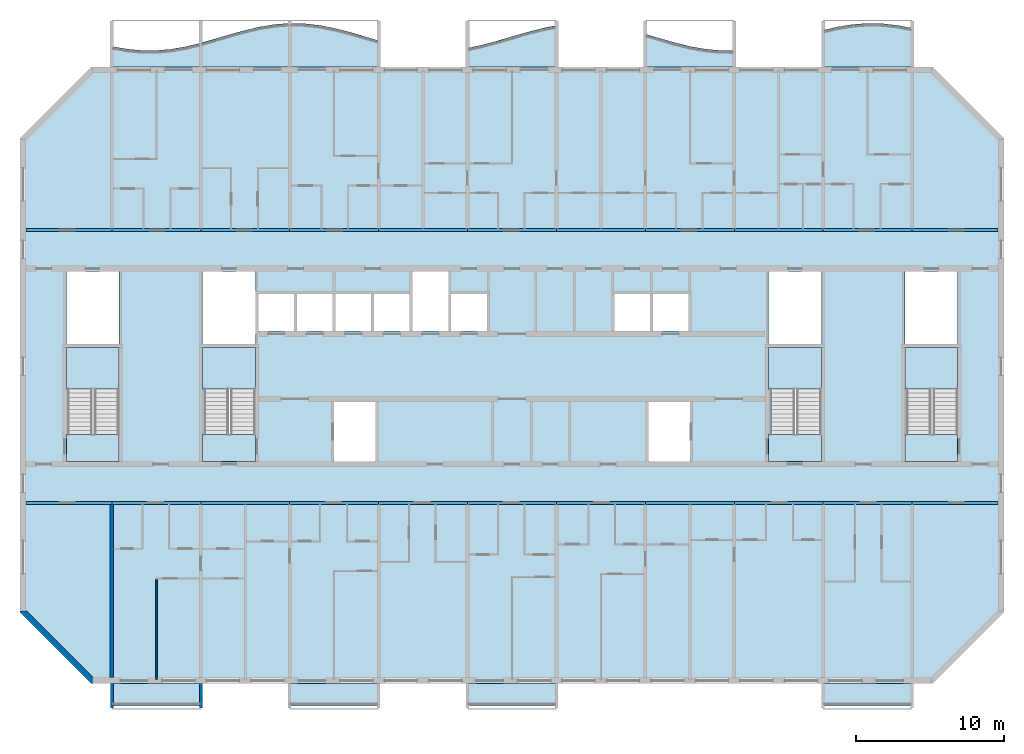
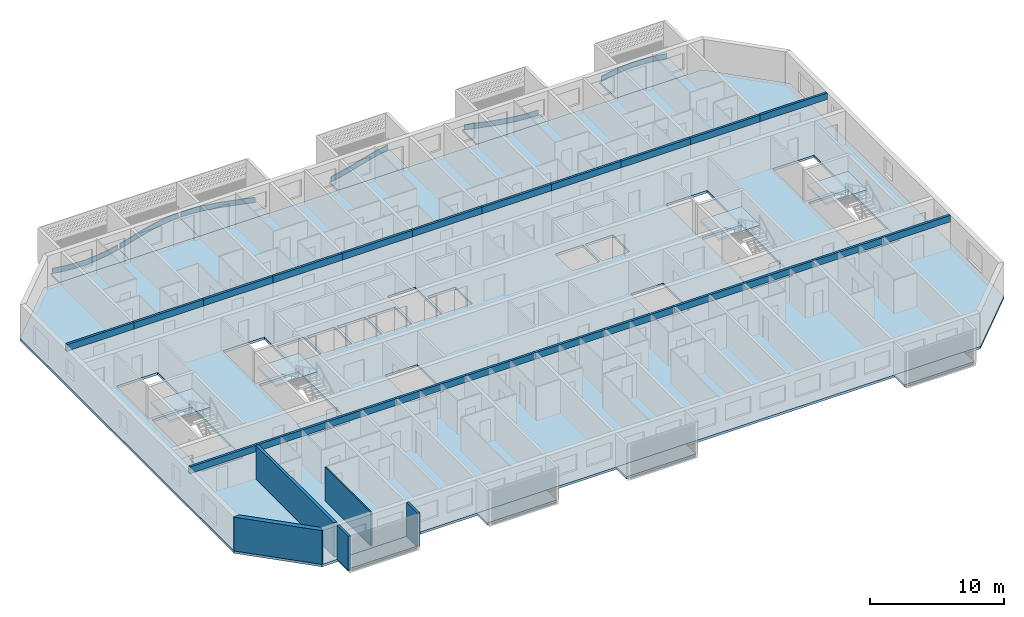
# One storey, part 1 of 27: 22 beams, 19 slabs, 6 plates, 5 walls, 4 elements without a shape of their own.
"""IFC4 building model written with IfcOpenShell, lengths in metres."""

from ifc_helpers import new_model, si_unit, direction, frame, frame_2d, origin, origin_2d, place, context, subcontext, project, spatial, polyline, rectangle, outline, extrude, source, transform, mapped, material, layer, layer_set, material_profile, profile_set, type_object, element, aggregate, save


model = new_model("IFC4")

# Units and contexts
model_context = context("Model", 3, precision=1e-05, world=origin(), true_north=direction((0.0, 1.0)))
body_context = subcontext(model_context, "Body", "Model", "MODEL_VIEW")
ifc_project = project(units=[si_unit("LENGTHUNIT", "METRE"), si_unit("AREAUNIT", "SQUARE_METRE"), si_unit("VOLUMEUNIT", "CUBIC_METRE"), si_unit("PLANEANGLEUNIT", "RADIAN"), si_unit("MASSUNIT", "GRAM", prefix="KILO")], contexts=[model_context])

# Site, building, storey
site_placement = place(None, origin())
site = spatial("IfcSite", under=ifc_project, at=site_placement, CompositionType="ELEMENT")
building_placement = place(site_placement, origin())
building = spatial("IfcBuilding", under=site, at=building_placement, Name="Poui Terraces", CompositionType="ELEMENT")
storey_placement = place(building_placement, frame((0.0, 0.0, 204.89990234375)))
storey = spatial("IfcBuildingStorey", under=building, at=storey_placement, Name="L57", CompositionType="ELEMENT", Elevation=204.89990234375)

# Beams
ifc_material_1 = material(Name="Concrete 50 MPa", Category="concrete")
ifc_material_profile = material_profile(ifc_material_1, rectangle(XDim=0.199951171875, YDim=0.60009765625, at=origin_2d()), Name="RC 200x600")
ifc_profile_set = profile_set([ifc_material_profile], Name="Concrete 50 MPa")
beam_type = type_object("IfcBeamType", Name="COUPLING BEAM 200x600 50MPa", PredefinedType="BEAM", material=ifc_profile_set)
shared_shape_1 = source(origin(), body_context, "Body", "SweptSolid", [
    extrude(rectangle(XDim=0.199951171875, YDim=0.60009765625, at=origin_2d()), origin(), (0.0, 0.0, 1.0), 5.800048828125),
])
for number, where, z_axis, x_axis, name in (
    (1, (18.199951171875, 12.0, 2.780029296875), (1.0, 0.0, 0.0), (0.0, 1.0, 0.0), "COUPLING BEAM LINE B BAY 1"),
    (2, (78.0, 12.0, 2.780029296875), (1.0, 0.0, 0.0), (0.0, 1.0, 0.0), "COUPLING BEAM LINE B BAY 11"),
    (3, (18.199951171875, 30.39990234375, 2.780029296875), (1.0, 0.0, 0.0), (0.0, 1.0, 0.0), "COUPLING BEAM LINE E BAY 1"),
    (4, (78.0, 30.39990234375, 2.780029296875), (1.0, 0.0, 0.0), (0.0, 1.0, 0.0), "COUPLING BEAM LINE E BAY 11"),
):
    element("IfcBeam", number, at=place(storey_placement, frame(where, z_axis=z_axis, x_axis=x_axis)), inside=storey, type_object=beam_type, Name=name, PredefinedType="BEAM", context=body_context, shape_type="MappedRepresentation", body=[
        mapped(shared_shape_1, transform((0.0, 0.0, 0.0))),
    ])
shared_shape_2 = source(origin(), body_context, "Body", "SweptSolid", [
    extrude(rectangle(XDim=0.199951171875, YDim=0.60009765625, at=origin_2d()), origin(), (0.0, 0.0, 1.0), 6.0),
])
for number, where, z_axis, x_axis, name in (
    (5, (24.0, 12.0, 2.780029296875), (1.0, 0.0, 0.0), (0.0, 1.0, 0.0), "COUPLING BEAM LINE B BAY 2"),
    (6, (30.0, 12.0, 2.780029296875), (1.0, 0.0, 0.0), (0.0, 1.0, 0.0), "COUPLING BEAM LINE B BAY 3"),
    (7, (36.0, 12.0, 2.780029296875), (1.0, 0.0, 0.0), (0.0, 1.0, 0.0), "COUPLING BEAM LINE B BAY 4"),
    (8, (42.0, 12.0, 2.780029296875), (1.0, 0.0, 0.0), (0.0, 1.0, 0.0), "COUPLING BEAM LINE B BAY 5"),
    (9, (48.0, 12.0, 2.780029296875), (1.0, 0.0, 0.0), (0.0, 1.0, 0.0), "COUPLING BEAM LINE B BAY 6"),
    (10, (54.0, 12.0, 2.780029296875), (1.0, 0.0, 0.0), (0.0, 1.0, 0.0), "COUPLING BEAM LINE B BAY 7"),
    (11, (60.0, 12.0, 2.780029296875), (1.0, 0.0, 0.0), (0.0, 1.0, 0.0), "COUPLING BEAM LINE B BAY 8"),
    (12, (66.0, 12.0, 2.780029296875), (1.0, 0.0, 0.0), (0.0, 1.0, 0.0), "COUPLING BEAM LINE B BAY 9"),
    (13, (72.0, 12.0, 2.780029296875), (1.0, 0.0, 0.0), (0.0, 1.0, 0.0), "COUPLING BEAM LINE B BAY 10"),
    (14, (24.0, 30.39990234375, 2.780029296875), (1.0, 0.0, 0.0), (0.0, 1.0, 0.0), "COUPLING BEAM LINE E BAY 2"),
    (15, (30.0, 30.39990234375, 2.780029296875), (1.0, 0.0, 0.0), (0.0, 1.0, 0.0), "COUPLING BEAM LINE E BAY 3"),
    (16, (36.0, 30.39990234375, 2.780029296875), (1.0, 0.0, 0.0), (0.0, 1.0, 0.0), "COUPLING BEAM LINE E BAY 4"),
    (17, (42.0, 30.39990234375, 2.780029296875), (1.0, 0.0, 0.0), (0.0, 1.0, 0.0), "COUPLING BEAM LINE E BAY 5"),
    (18, (48.0, 30.39990234375, 2.780029296875), (1.0, 0.0, 0.0), (0.0, 1.0, 0.0), "COUPLING BEAM LINE E BAY 6"),
    (19, (54.0, 30.39990234375, 2.780029296875), (1.0, 0.0, 0.0), (0.0, 1.0, 0.0), "COUPLING BEAM LINE E BAY 7"),
    (20, (60.0, 30.39990234375, 2.780029296875), (1.0, 0.0, 0.0), (0.0, 1.0, 0.0), "COUPLING BEAM LINE E BAY 8"),
    (21, (66.0, 30.39990234375, 2.780029296875), (1.0, 0.0, 0.0), (0.0, 1.0, 0.0), "COUPLING BEAM LINE E BAY 9"),
    (22, (72.0, 30.39990234375, 2.780029296875), (1.0, 0.0, 0.0), (0.0, 1.0, 0.0), "COUPLING BEAM LINE E BAY 10"),
):
    element("IfcBeam", number, at=place(storey_placement, frame(where, z_axis=z_axis, x_axis=x_axis)), inside=storey, type_object=beam_type, Name=name, PredefinedType="BEAM", context=body_context, shape_type="MappedRepresentation", body=[
        mapped(shared_shape_2, transform((0.0, 0.0, 0.0))),
    ])

# Slabs
ifc_material_2 = material(Name="Precast concrete 40 MPa", Category="concrete")
ifc_layer_1 = layer(ifc_material_2, 0.199951171875)
ifc_layer_set_1 = layer_set([ifc_layer_1], Name="Precast concrete 40 MPa")
slab_type_1 = type_object("IfcSlabType", Name="BALCONY SLAB 200", PredefinedType="FLOOR", material=ifc_layer_set_1)
slab_1_placement = place(storey_placement, frame((0.0, 0.0, -0.199951171875)))
element("IfcSlab", 23, at=slab_1_placement, inside=storey, type_object=slab_type_1, Name="BALCONY SLAB", PredefinedType="FLOOR", context=body_context, shape_type="SweptSolid", body=[
    extrude(outline(polyline([(24.0, 41.39990234375), (30.0, 41.39990234375), (30.0, 43.017333984375), (29.0, 42.775390625), (28.0, 42.600341796875), (27.0, 42.510009765625), (26.0, 42.51416015625), (25.0, 42.61181640625), (24.0, 42.793212890625), (24.0, 41.39990234375)])), origin(), (0.0, 0.0, 1.0), 0.199951171875),
])
slab_2_placement = place(storey_placement, frame((0.0, 0.0, -0.199951171875)))
element("IfcSlab", 24, at=slab_2_placement, inside=storey, type_object=slab_type_1, Name="BALCONY SLAB", PredefinedType="FLOOR", context=body_context, shape_type="SweptSolid", body=[
    extrude(outline(polyline([(30.0, 41.39990234375), (36.0, 41.39990234375), (36.0, 44.345947265625), (35.0, 44.27099609375), (34.0, 44.109130859375), (33.0, 43.876708984375), (32.0, 43.597900390625), (31.0, 43.30126953125), (30.0, 43.017333984375), (30.0, 41.39990234375)])), origin(), (0.0, 0.0, 1.0), 0.199951171875),
])
slab_3_placement = place(storey_placement, frame((0.0, 0.0, -0.199951171875)))
element("IfcSlab", 25, at=slab_3_placement, inside=storey, type_object=slab_type_1, Name="BALCONY SLAB", PredefinedType="FLOOR", context=body_context, shape_type="SweptSolid", body=[
    extrude(outline(polyline([(36.0, 41.39990234375), (42.0, 41.39990234375), (42.0, 43.1796875), (41.0, 43.474609375), (40.0, 43.7646484375), (39.0, 44.01953125), (38.0, 44.21337890625), (37.0, 44.325927734375), (36.0, 44.345947265625), (36.0, 41.39990234375)])), origin(), (0.0, 0.0, 1.0), 0.199951171875),
])
slab_4_placement = place(storey_placement, frame((0.0, 0.0, -0.199951171875)))
element("IfcSlab", 26, at=slab_4_placement, inside=storey, type_object=slab_type_1, Name="BALCONY SLAB", PredefinedType="FLOOR", context=body_context, shape_type="SweptSolid", body=[
    extrude(outline(polyline([(48.0, 41.39990234375), (54.0, 41.39990234375), (54.0, 44.2001953125), (53.0, 44.000244140625), (52.0, 43.741455078125), (51.0, 43.44970703125), (50.0, 43.15576171875), (49.0, 42.889404296875), (48.0, 42.677978515625), (48.0, 41.39990234375)])), origin(), (0.0, 0.0, 1.0), 0.199951171875),
])
slab_5_placement = place(storey_placement, frame((0.0, 0.0, -0.199951171875)))
element("IfcSlab", 27, at=slab_5_placement, inside=storey, type_object=slab_type_1, Name="BALCONY SLAB", PredefinedType="FLOOR", context=body_context, shape_type="SweptSolid", body=[
    extrude(outline(polyline([(60.0, 41.39990234375), (66.0, 41.39990234375), (66.0, 42.510009765625), (65.0, 42.51416015625), (64.0, 42.61181640625), (63.0, 42.793212890625), (62.0, 43.039794921875), (61.0, 43.32568359375), (60.0, 43.622314453125), (60.0, 41.39990234375)])), origin(), (0.0, 0.0, 1.0), 0.199951171875),
])
slab_6_placement = place(storey_placement, frame((0.0, 0.0, -0.199951171875)))
element("IfcSlab", 28, at=slab_6_placement, inside=storey, type_object=slab_type_1, Name="BALCONY SLAB", PredefinedType="FLOOR", context=body_context, shape_type="SweptSolid", body=[
    extrude(outline(polyline([(72.0, 41.39990234375), (78.0, 41.39990234375), (78.0, 44.01953125), (77.0, 44.21337890625), (76.0, 44.325927734375), (75.0, 44.345947265625), (74.0, 44.27099609375), (73.0, 44.109130859375), (72.0, 43.876708984375), (72.0, 41.39990234375)])), origin(), (0.0, 0.0, 1.0), 0.199951171875),
])

# Stair, slabs
stair_type = type_object("IfcStairType", Name="EXIT STAIR 1650 50 MPA", PredefinedType="HALF_TURN_STAIR", material=ifc_material_1)
stair_1_placement = place(storey_placement, origin())
stair_1 = element("IfcStair", 29, at=stair_1_placement, inside=storey, type_object=stair_type, Name="L57 CORE STAIR EAST", PredefinedType="HALF_TURN_STAIR")
ifc_layer_2 = layer(ifc_material_1, 0.199951171875)
ifc_layer_set_2 = layer_set([ifc_layer_2], Name="Concrete 50 MPa")
slab_type_2 = type_object("IfcSlabType", Name="STAIR LANDING 200 50 MPA", PredefinedType="LANDING", material=ifc_layer_set_2)
slab_7_placement = place(storey_placement, frame((0.0, 0.0, 1.449951171875)))
slab_7 = element("IfcSlab", 30, at=slab_7_placement, type_object=slab_type_2, Name="ST-CE landing 1", PredefinedType="LANDING", context=body_context, shape_type="SweptSolid", body=[
    extrude(outline(polyline([(68.324951171875, 19.679931640625), (71.875, 19.679931640625), (71.875, 22.47509765625), (68.324951171875, 22.47509765625), (68.324951171875, 19.679931640625)])), origin(), (0.0, 0.0, 1.0), 0.2001953125),
])
slab_8_placement = place(storey_placement, frame((0.0, 0.0, -0.199951171875)))
slab_8 = element("IfcSlab", 31, at=slab_8_placement, type_object=slab_type_2, Name="ST-CE landing 2", PredefinedType="LANDING", context=body_context, shape_type="SweptSolid", body=[
    extrude(outline(polyline([(68.324951171875, 14.800048828125), (71.875, 14.800048828125), (71.875, 16.60009765625), (68.324951171875, 16.60009765625), (68.324951171875, 14.800048828125)])), origin(), (0.0, 0.0, 1.0), 0.199951171875),
])
aggregate(stair_1, [slab_7, slab_8])

stair_2_placement = place(storey_placement, origin())
stair_2 = element("IfcStair", 32, at=stair_2_placement, inside=storey, type_object=stair_type, Name="L57 CORE STAIR WEST", PredefinedType="HALF_TURN_STAIR")
slab_9_placement = place(storey_placement, frame((0.0, 0.0, 1.449951171875)))
slab_9 = element("IfcSlab", 33, at=slab_9_placement, type_object=slab_type_2, Name="ST-CW landing 1", PredefinedType="LANDING", context=body_context, shape_type="SweptSolid", body=[
    extrude(outline(polyline([(30.125, 19.679931640625), (33.675048828125, 19.679931640625), (33.675048828125, 22.47509765625), (30.125, 22.47509765625), (30.125, 19.679931640625)])), origin(), (0.0, 0.0, 1.0), 0.2001953125),
])
slab_10_placement = place(storey_placement, frame((0.0, 0.0, -0.199951171875)))
slab_10 = element("IfcSlab", 34, at=slab_10_placement, type_object=slab_type_2, Name="ST-CW landing 2", PredefinedType="LANDING", context=body_context, shape_type="SweptSolid", body=[
    extrude(outline(polyline([(30.125, 14.800048828125), (33.675048828125, 14.800048828125), (33.675048828125, 16.60009765625), (30.125, 16.60009765625), (30.125, 14.800048828125)])), origin(), (0.0, 0.0, 1.0), 0.199951171875),
])
aggregate(stair_2, [slab_9, slab_10])

stair_3_placement = place(storey_placement, origin())
stair_3 = element("IfcStair", 35, at=stair_3_placement, inside=storey, type_object=stair_type, Name="L57 TIP STAIR EAST", PredefinedType="HALF_TURN_STAIR")
slab_11_placement = place(storey_placement, frame((0.0, 0.0, 1.449951171875)))
slab_11 = element("IfcSlab", 36, at=slab_11_placement, type_object=slab_type_2, Name="ST-E landing 1", PredefinedType="LANDING", context=body_context, shape_type="SweptSolid", body=[
    extrude(outline(polyline([(77.52490234375, 19.679931640625), (81.074951171875, 19.679931640625), (81.074951171875, 22.47509765625), (77.52490234375, 22.47509765625), (77.52490234375, 19.679931640625)])), origin(), (0.0, 0.0, 1.0), 0.2001953125),
])
slab_12_placement = place(storey_placement, frame((0.0, 0.0, -0.199951171875)))
slab_12 = element("IfcSlab", 37, at=slab_12_placement, type_object=slab_type_2, Name="ST-E landing 2", PredefinedType="LANDING", context=body_context, shape_type="SweptSolid", body=[
    extrude(outline(polyline([(77.52490234375, 14.800048828125), (81.074951171875, 14.800048828125), (81.074951171875, 16.60009765625), (77.52490234375, 16.60009765625), (77.52490234375, 14.800048828125)])), origin(), (0.0, 0.0, 1.0), 0.199951171875),
])
aggregate(stair_3, [slab_11, slab_12])

stair_4_placement = place(storey_placement, origin())
stair_4 = element("IfcStair", 38, at=stair_4_placement, inside=storey, type_object=stair_type, Name="L57 TIP STAIR WEST", PredefinedType="HALF_TURN_STAIR")
slab_13_placement = place(storey_placement, frame((0.0, 0.0, 1.449951171875)))
slab_13 = element("IfcSlab", 39, at=slab_13_placement, type_object=slab_type_2, Name="ST-W landing 1", PredefinedType="LANDING", context=body_context, shape_type="SweptSolid", body=[
    extrude(outline(polyline([(20.925048828125, 19.679931640625), (24.47509765625, 19.679931640625), (24.47509765625, 22.47509765625), (20.925048828125, 22.47509765625), (20.925048828125, 19.679931640625)])), origin(), (0.0, 0.0, 1.0), 0.2001953125),
])
slab_14_placement = place(storey_placement, frame((0.0, 0.0, -0.199951171875)))
slab_14 = element("IfcSlab", 40, at=slab_14_placement, type_object=slab_type_2, Name="ST-W landing 2", PredefinedType="LANDING", context=body_context, shape_type="SweptSolid", body=[
    extrude(outline(polyline([(20.925048828125, 14.800048828125), (24.47509765625, 14.800048828125), (24.47509765625, 16.60009765625), (20.925048828125, 16.60009765625), (20.925048828125, 14.800048828125)])), origin(), (0.0, 0.0, 1.0), 0.199951171875),
])
aggregate(stair_4, [slab_13, slab_14])

# Plates
ifc_layer_3 = layer(ifc_material_2, 0.080078125)
ifc_layer_set_3 = layer_set([ifc_layer_3], Name="Precast concrete 40 MPa")
plate_type = type_object("IfcPlateType", Name="SUNSHADE UPSTAND 80", PredefinedType="SHEET", material=ifc_layer_set_3)
plate_1_placement = place(storey_placement, origin())
element("IfcPlate", 41, at=plate_1_placement, inside=storey, type_object=plate_type, Name="SUNSHADE UPSTAND", PredefinedType="SHEET", context=body_context, shape_type="SweptSolid", body=[
    extrude(outline(polyline([(25.00537109375, 42.6064453125), (24.132080078125, 42.760986328125), (24.117919921875, 42.68212890625), (24.99462890625, 42.527099609375), (25.998046875, 42.42919921875), (27.001708984375, 42.425048828125), (28.00537109375, 42.515625), (29.008056640625, 42.691162109375), (29.88427734375, 42.900390625), (29.86572265625, 42.97802734375), (28.991943359375, 42.76953125), (27.99462890625, 42.594970703125), (26.998291015625, 42.505126953125), (26.001953125, 42.509033203125), (25.00537109375, 42.6064453125)])), origin(), (0.0, 0.0, 1.0), 0.4501953125),
])
plate_2_placement = place(storey_placement, origin())
element("IfcPlate", 42, at=plate_2_placement, inside=storey, type_object=plate_type, Name="SUNSHADE UPSTAND", PredefinedType="SHEET", context=body_context, shape_type="SweptSolid", body=[
    extrude(outline(polyline([(30.98876953125, 43.294677734375), (30.114013671875, 43.04443359375), (30.135986328125, 42.967529296875), (31.01123046875, 43.2177734375), (32.010986328125, 43.514404296875), (33.010009765625, 43.79296875), (34.0078125, 44.02490234375), (35.0048828125, 44.186279296875), (35.878173828125, 44.2568359375), (35.871826171875, 44.336181640625), (35.83251953125, 44.33349609375), (34.9951171875, 44.265869140625), (33.9921875, 44.103271484375), (32.989990234375, 43.87060546875), (31.989013671875, 43.59130859375), (30.98876953125, 43.294677734375)])), origin(), (0.0, 0.0, 1.0), 0.4501953125),
])
plate_3_placement = place(storey_placement, origin())
element("IfcPlate", 43, at=plate_3_placement, inside=storey, type_object=plate_type, Name="SUNSHADE UPSTAND", PredefinedType="SHEET", context=body_context, shape_type="SweptSolid", body=[
    extrude(outline(polyline([(37.002685546875, 44.321044921875), (36.166748046875, 44.342529296875), (36.1259765625, 44.343505859375), (36.1240234375, 44.263671875), (36.997314453125, 44.2412109375), (37.993896484375, 44.12890625), (38.9912109375, 43.935546875), (39.989501953125, 43.680908203125), (40.98876953125, 43.391357421875), (41.863525390625, 43.13232421875), (41.886474609375, 43.208984375), (41.01123046875, 43.468017578125), (40.010498046875, 43.75830078125), (39.0087890625, 44.013671875), (38.006103515625, 44.2080078125), (37.002685546875, 44.321044921875)])), origin(), (0.0, 0.0, 1.0), 0.4501953125),
])
plate_4_placement = place(storey_placement, origin())
element("IfcPlate", 44, at=plate_4_placement, inside=storey, type_object=plate_type, Name="SUNSHADE UPSTAND", PredefinedType="SHEET", context=body_context, shape_type="SweptSolid", body=[
    extrude(outline(polyline([(48.990478515625, 42.88330078125), (48.11669921875, 42.69482421875), (48.13330078125, 42.61669921875), (49.009521484375, 42.805419921875), (50.0107421875, 43.072265625), (51.01123046875, 43.366455078125), (52.010498046875, 43.65771484375), (53.009033203125, 43.91650390625), (53.883056640625, 44.094970703125), (53.866943359375, 44.17333984375), (52.990966796875, 43.994384765625), (51.989501953125, 43.73486328125), (50.98876953125, 43.443115234375), (49.9892578125, 43.1494140625), (48.990478515625, 42.88330078125)])), origin(), (0.0, 0.0, 1.0), 0.4501953125),
])
plate_5_placement = place(storey_placement, origin())
element("IfcPlate", 45, at=plate_5_placement, inside=storey, type_object=plate_type, Name="SUNSHADE UPSTAND", PredefinedType="SHEET", context=body_context, shape_type="SweptSolid", body=[
    extrude(outline(polyline([(61.01123046875, 43.319091796875), (60.136474609375, 43.5791015625), (60.113525390625, 43.502197265625), (60.98876953125, 43.242431640625), (61.98974609375, 42.9560546875), (62.99169921875, 42.708984375), (63.994384765625, 42.527099609375), (64.997802734375, 42.42919921875), (65.87451171875, 42.42041015625), (65.87548828125, 42.500244140625), (65.002197265625, 42.509033203125), (64.005615234375, 42.6064453125), (63.00830078125, 42.787353515625), (62.01025390625, 43.033447265625), (61.01123046875, 43.319091796875)])), origin(), (0.0, 0.0, 1.0), 0.4501953125),
])
plate_6_placement = place(storey_placement, origin())
element("IfcPlate", 46, at=plate_6_placement, inside=storey, type_object=plate_type, Name="SUNSHADE UPSTAND", PredefinedType="SHEET", context=body_context, shape_type="SweptSolid", body=[
    extrude(outline(polyline([(72.9921875, 44.103515625), (72.1162109375, 43.90283203125), (72.1337890625, 43.82470703125), (73.0078125, 44.02490234375), (74.004638671875, 44.186279296875), (75.001220703125, 44.260986328125), (75.997314453125, 44.2412109375), (76.993896484375, 44.12890625), (77.86767578125, 43.96337890625), (77.88232421875, 44.0419921875), (77.006103515625, 44.2080078125), (76.002685546875, 44.321044921875), (74.998779296875, 44.3408203125), (73.995361328125, 44.265869140625), (72.9921875, 44.103515625)])), origin(), (0.0, 0.0, 1.0), 0.4501953125),
])

# Slabs
ifc_material_3 = material(Name="Concrete 40 MPa", Category="concrete")
ifc_layer_4 = layer(ifc_material_3, 0.219970703125)
ifc_layer_set_4 = layer_set([ifc_layer_4], Name="Concrete 40 MPa")
slab_type_3 = type_object("IfcSlabType", Name="FLOOR SLAB 220", PredefinedType="FLOOR", material=ifc_layer_set_4)
shared_shape_3 = source(origin(), body_context, "Body", "SweptSolid", [
    extrude(outline(polyline([(0.0, 0.0), (4.800048828125, -4.800048828125), (61.599853515625, -4.800048828125), (66.39990234375, 0.0), (66.39990234375, 32.0), (61.599853515625, 36.7998046875), (4.800048828125, 36.7998046875), (0.0, 32.0), (0.0, 0.0)]), holes=[polyline([(21.199951171875, 10.199951171875), (21.199951171875, 14.199951171875), (24.0, 14.199951171875), (24.0, 10.199951171875), (21.199951171875, 10.199951171875)]), polyline([(3.224853515625, 17.849853515625), (6.675048828125, 17.849853515625), (6.675048828125, 12.0), (6.675048828125, 10.199951171875), (3.125, 10.199951171875), (3.125, 12.0), (3.224853515625, 12.0), (3.224853515625, 17.849853515625)]), polyline([(12.425048828125, 17.849853515625), (15.875, 17.849853515625), (15.875, 12.0), (15.875, 10.199951171875), (12.324951171875, 10.199951171875), (12.324951171875, 12.0), (12.425048828125, 12.0), (12.425048828125, 17.849853515625)]), polyline([(16.099853515625, 19.0), (16.099853515625, 21.5), (18.5, 21.5), (18.5, 19.0), (16.099853515625, 19.0)]), polyline([(18.699951171875, 19.0), (18.699951171875, 21.5), (21.099853515625, 21.5), (21.099853515625, 19.0), (18.699951171875, 19.0)]), polyline([(21.300048828125, 19.0), (21.300048828125, 21.5), (23.699951171875, 21.5), (23.699951171875, 19.0), (21.300048828125, 19.0)]), polyline([(23.89990234375, 19.0), (23.89990234375, 21.5), (26.300048828125, 21.5), (26.300048828125, 19.0), (23.89990234375, 19.0)]), polyline([(3.125, 23.0), (6.675048828125, 23.0), (6.675048828125, 18.125), (3.125, 18.125), (3.125, 23.0)]), polyline([(12.324951171875, 23.0), (15.875, 23.0), (15.875, 18.125), (12.324951171875, 18.125), (12.324951171875, 23.0)]), polyline([(42.39990234375, 10.199951171875), (42.39990234375, 14.199951171875), (45.199951171875, 14.199951171875), (45.199951171875, 10.199951171875), (42.39990234375, 10.199951171875)]), polyline([(50.625, 17.849853515625), (54.074951171875, 17.849853515625), (54.074951171875, 12.0), (54.074951171875, 10.199951171875), (50.52490234375, 10.199951171875), (50.52490234375, 12.0), (50.625, 12.0), (50.625, 17.849853515625)]), polyline([(59.824951171875, 17.849853515625), (63.27490234375, 17.849853515625), (63.27490234375, 12.0), (63.27490234375, 10.199951171875), (59.724853515625, 10.199951171875), (59.724853515625, 12.0), (59.824951171875, 12.0), (59.824951171875, 17.849853515625)]), polyline([(29.099853515625, 19.0), (29.099853515625, 21.5), (31.5, 21.5), (31.5, 19.0), (29.099853515625, 19.0)]), polyline([(40.099853515625, 19.0), (40.099853515625, 21.5), (42.5, 21.5), (42.5, 19.0), (40.099853515625, 19.0)]), polyline([(42.699951171875, 19.0), (42.699951171875, 21.5), (45.099853515625, 21.5), (45.099853515625, 19.0), (42.699951171875, 19.0)]), polyline([(50.52490234375, 18.125), (50.52490234375, 23.0), (54.074951171875, 23.0), (54.074951171875, 18.125), (50.52490234375, 18.125)]), polyline([(59.724853515625, 23.0), (63.27490234375, 23.0), (63.27490234375, 18.125), (59.724853515625, 18.125), (59.724853515625, 23.0)]), polyline([(26.5, 23.0), (28.89990234375, 23.0), (28.89990234375, 19.0), (26.5, 19.0), (26.5, 23.0)])]), origin(), (0.0, 0.0, 1.0), 0.219970703125),
])
slab_15_placement = place(storey_placement, frame((17.800048828125, 4.60009765625, -0.219970703125)))
element("IfcSlab", 47, at=slab_15_placement, inside=storey, type_object=slab_type_3, Name="FLOOR SLAB", PredefinedType="FLOOR", context=body_context, shape_type="MappedRepresentation", body=[
    mapped(shared_shape_3, transform((0.0, 0.0, 0.0))),
])
ifc_layer_5 = layer(ifc_material_2, 0.199951171875)
ifc_layer_set_5 = layer_set([ifc_layer_5], Name="Precast concrete 40 MPa")
slab_type_4 = type_object("IfcSlabType", Name="REAR BALCONY SLAB 200", PredefinedType="FLOOR", material=ifc_layer_set_5)
shared_shape_4 = source(origin(), body_context, "Body", "SweptSolid", [
    extrude(outline(polyline([(0.0, 0.0), (6.0, 0.0), (6.0, 1.5), (0.0, 1.5), (0.0, 0.0)])), origin(), (0.0, 0.0, 1.0), 0.199951171875),
])
for number, where, name in (
    (48, (24.0, -1.699951171875, -0.199951171875), "REAR BALCONY SLAB"),
    (49, (36.0, -1.699951171875, -0.199951171875), "REAR BALCONY SLAB"),
    (50, (48.0, -1.699951171875, -0.199951171875), "REAR BALCONY SLAB"),
    (51, (72.0, -1.699951171875, -0.199951171875), "REAR BALCONY SLAB"),
):
    element("IfcSlab", number, at=place(storey_placement, frame(where)), inside=storey, type_object=slab_type_4, Name=name, PredefinedType="FLOOR", context=body_context, shape_type="MappedRepresentation", body=[
        mapped(shared_shape_4, transform((0.0, 0.0, 0.0))),
    ])

# Walls
ifc_layer_6 = layer(ifc_material_1, 0.25)
ifc_layer_set_6 = layer_set([ifc_layer_6], Name="Concrete 50 MPa")
wall_type_1 = type_object("IfcWallType", Name="CROSS WALL 250 50MPa", PredefinedType="SHEAR", material=ifc_layer_set_6)
wall_1_placement = place(storey_placement, frame((24.0, 0.199951171875, 0.0), z_axis=(0.0, 0.0, 1.0), x_axis=(0.0, 1.0, 0.0)))
element("IfcWall", 52, at=wall_1_placement, inside=storey, type_object=wall_type_1, Name="CROSS WALL LINE 5 SOUTH", PredefinedType="SHEAR", context=body_context, shape_type="SweptSolid", body=[
    extrude(rectangle(XDim=11.699951171875, YDim=0.25, at=frame_2d((5.85009765625, 0.0))), origin(), (0.0, 0.0, 1.0), 3.080078125),
])
ifc_material_4 = material(Name="Plasterboard partition")
ifc_layer_7 = layer(ifc_material_4, 0.10009765625)
ifc_layer_set_7 = layer_set([ifc_layer_7], Name="Plasterboard partition")
wall_type_2 = type_object("IfcWallType", Name="FLAT PARTITION 100", PredefinedType="PARTITIONING", material=ifc_layer_set_7)
wall_2_placement = place(storey_placement, frame((27.0, 0.06005859375, 0.0), z_axis=(0.0, 0.0, 1.0), x_axis=(0.0, 1.0, 0.0)))
element("IfcWall", 53, at=wall_2_placement, inside=storey, type_object=wall_type_2, Name="FLAT PARTITION 100", PredefinedType="PARTITIONING", context=body_context, shape_type="SweptSolid", body=[
    extrude(rectangle(XDim=6.7900390625, YDim=0.10009765625, at=frame_2d((3.39501953125, 0.0))), origin(), (0.0, 0.0, 1.0), 3.080078125),
])
ifc_layer_8 = layer(ifc_material_2, 0.39990234375)
ifc_layer_set_8 = layer_set([ifc_layer_8], Name="Precast concrete 40 MPa")
wall_type_3 = type_object("IfcWallType", Name="TERRACOTTA CLAD CHAMFER WALL 400", PredefinedType="STANDARD", material=ifc_layer_set_8)
wall_3_placement = place(storey_placement, origin())
element("IfcWall", 54, at=wall_3_placement, inside=storey, type_object=wall_type_3, Name="CHAMFER WALL CH07", PredefinedType="STANDARD", context=body_context, shape_type="SweptSolid", body=[
    extrude(outline(polyline([(17.800048828125, 4.682861328125), (17.800048828125, 4.60009765625), (22.60009765625, -0.199951171875), (22.682861328125, -0.199951171875), (22.682861328125, 0.28271484375), (18.28271484375, 4.682861328125), (17.800048828125, 4.682861328125)])), origin(), (0.0, 0.0, 1.0), 3.080078125),
])
ifc_layer_9 = layer(ifc_material_2, 0.199951171875)
ifc_layer_set_9 = layer_set([ifc_layer_9], Name="Precast concrete 40 MPa")
wall_type_4 = type_object("IfcWallType", Name="REAR FIN 200", PredefinedType="STANDARD", material=ifc_layer_set_9)
shared_shape_5 = source(origin(), body_context, "Body", "SweptSolid", [
    extrude(outline(polyline([(0.0, 0.0), (0.2001953125, 0.0), (0.2001953125, 1.650146484375), (0.0, 1.650146484375), (0.0, 0.0)])), origin(), (0.0, 0.0, 1.0), 3.10009765625),
])
for number, where, name in (
    (55, (23.89990234375, -1.85009765625, 0.0), "REAR FIN"),
    (56, (29.89990234375, -1.85009765625, 0.0), "REAR FIN"),
):
    element("IfcWall", number, at=place(storey_placement, frame(where)), inside=storey, type_object=wall_type_4, Name=name, PredefinedType="STANDARD", context=body_context, shape_type="MappedRepresentation", body=[
        mapped(shared_shape_5, transform((0.0, 0.0, 0.0))),
    ])

save(model, "model.ifc")
